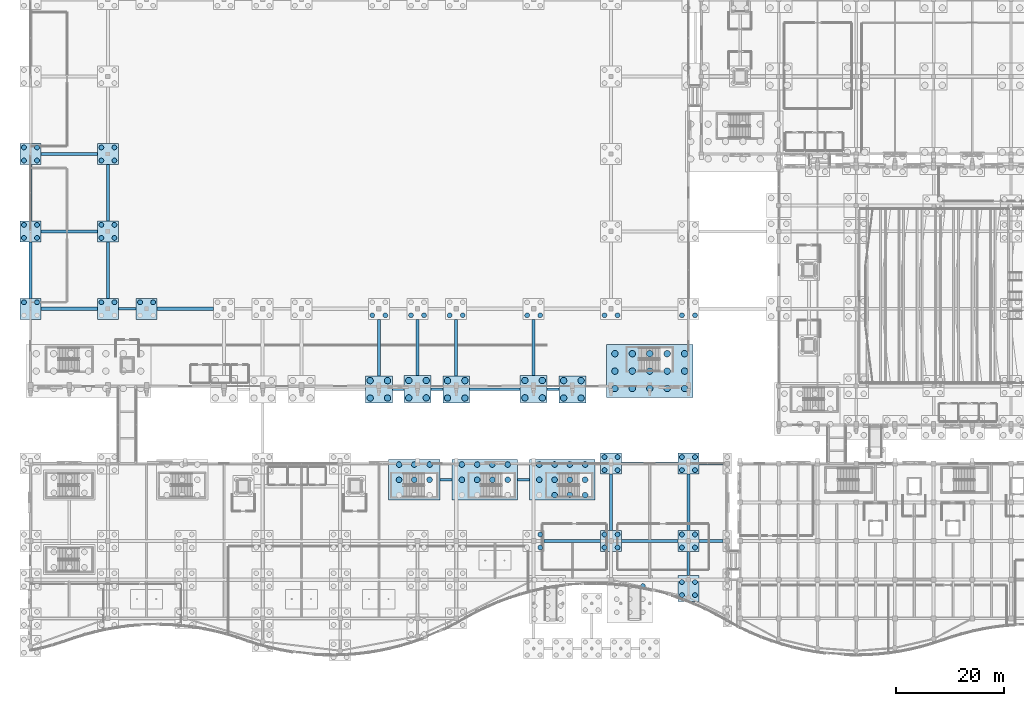
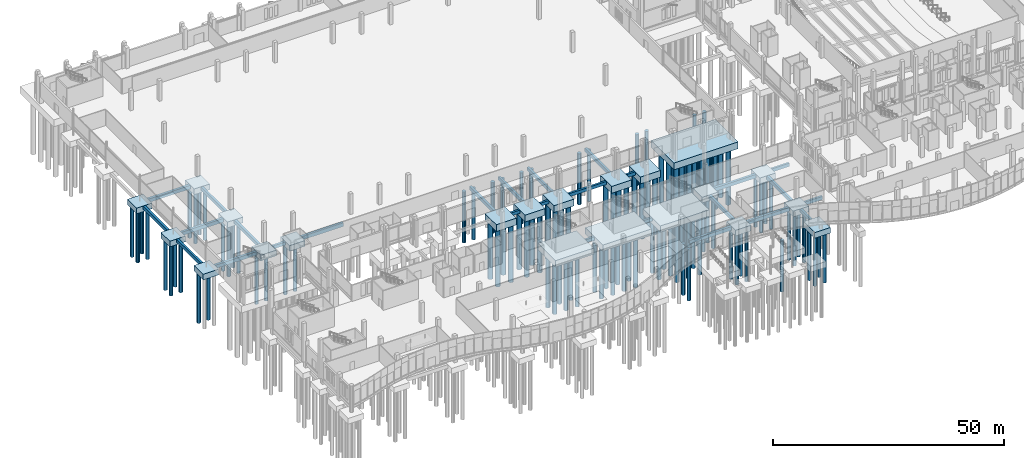
# One storey, part 3 of 192: 117 piles, 48 footings.
"""IFC4 building model written with IfcOpenShell, lengths in metres."""

from ifc_helpers import new_model, si_unit, direction, frame, origin, origin_2d, place, context, subcontext, project, spatial, rectangle, circle, extrude, material, material_profile, profile_set, type_object, element, save


model = new_model("IFC4")

# Units and contexts
model_context = context("Model", 3, precision=1e-05, world=origin(), true_north=direction((0.0, 1.0)))
body_context = subcontext(model_context, "Body", "Model", "MODEL_VIEW")
ifc_project = project(units=[si_unit("LENGTHUNIT", "METRE"), si_unit("AREAUNIT", "SQUARE_METRE"), si_unit("VOLUMEUNIT", "CUBIC_METRE"), si_unit("PLANEANGLEUNIT", "RADIAN"), si_unit("MASSUNIT", "GRAM", prefix="KILO")], contexts=[model_context])

# Site, building, storey
site_placement = place(None, origin())
site = spatial("IfcSite", under=ifc_project, at=site_placement, CompositionType="ELEMENT")
building_placement = place(site_placement, origin())
building = spatial("IfcBuilding", under=site, at=building_placement, Name="Cendralis Lancet Convention Centre", CompositionType="ELEMENT")
storey_placement = place(building_placement, origin())
storey = spatial("IfcBuildingStorey", under=building, at=storey_placement, Name="L00", CompositionType="ELEMENT", Elevation=0.0)

# Footings
ifc_material = material(Name="Concrete G35 (C35/45)", Category="concrete")
footing_type_1 = type_object("IfcFootingType", Name="STR-FT-PC04", PredefinedType="PILE_CAP", material=ifc_material)
for number, where, z_axis, x_axis, name in (
    (1, (0.0, 64.800048828125, -3.14990234375), (0.0, 0.0, 1.0), (1.0, 0.0, 0.0), "Pile Cap PC-04 #046"),
    (2, (0.0, 79.199951171875, -3.14990234375), (0.0, 0.0, 1.0), (1.0, 0.0, 0.0), "Pile Cap PC-04 #047"),
    (3, (0.0, 93.60009765625, -3.14990234375), (0.0, 0.0, 1.0), (1.0, 0.0, 0.0), "Pile Cap PC-04 #048"),
    (4, (14.39990234375, 64.800048828125, -3.14990234375), (0.0, 0.0, 1.0), (1.0, 0.0, 0.0), "Pile Cap PC-04 #059"),
    (5, (14.39990234375, 79.199951171875, -3.14990234375), (0.0, 0.0, 1.0), (1.0, 0.0, 0.0), "Pile Cap PC-04 #060"),
    (6, (14.39990234375, 93.60009765625, -3.14990234375), (0.0, 0.0, 1.0), (1.0, 0.0, 0.0), "Pile Cap PC-04 #061"),
    (7, (21.60009765625, 64.800048828125, -3.14990234375), (0.0, 0.0, 1.0), (1.0, 0.0, 0.0), "Pile Cap PC-04 #064"),
    (8, (108.0, 21.60009765625, -3.14990234375), (0.0, 0.0, 1.0), (1.0, 0.0, 0.0), "Pile Cap PC-04 #125"),
    (9, (108.0, 36.0, -3.14990234375), (0.0, 0.0, 1.0), (1.0, 0.0, 0.0), "Pile Cap PC-04 #126"),
    (10, (122.39990234375, 21.60009765625, -3.14990234375), (0.0, 0.0, 1.0), (1.0, 0.0, 0.0), "Pile Cap PC-04 #139"),
    (11, (122.39990234375, 36.0, -3.14990234375), (0.0, 0.0, 1.0), (1.0, 0.0, 0.0), "Pile Cap PC-04 #140"),
):
    element("IfcFooting", number, at=place(storey_placement, frame(where, z_axis=z_axis, x_axis=x_axis)), inside=storey, type_object=footing_type_1, Name=name, PredefinedType="PILE_CAP", context=body_context, shape_type="SweptSolid", body=[
        extrude(rectangle(XDim=3.89990234375, YDim=3.89990234375, at=origin_2d()), origin(), (0.0, 0.0, 1.0), 1.5),
    ])
footing_type_2 = type_object("IfcFootingType", Name="STR-FT-PC15", PredefinedType="PILE_CAP", material=ifc_material)
footing_1_placement = place(storey_placement, frame((71.39990234375, 32.987548828125, -3.300048828125), z_axis=(0.0, 0.0, 1.0), x_axis=(1.0, 0.0, 0.0)))
element("IfcFooting", 12, at=footing_1_placement, inside=storey, type_object=footing_type_2, Name="Pile Cap PC-15 #097", PredefinedType="PILE_CAP", context=body_context, shape_type="SweptSolid", body=[
    extrude(rectangle(XDim=9.60009765625, YDim=7.60009765625, at=origin_2d()), origin(), (0.0, 0.0, 1.0), 1.64990234375),
])
footing_type_3 = type_object("IfcFootingType", Name="STR-FT-PC16", PredefinedType="PILE_CAP", material=ifc_material)
for number, where, z_axis, x_axis, name in (
    (13, (64.800048828125, 49.820068359375, -3.4501953125), (0.0, 0.0, 1.0), (1.0, 0.0, 0.0), "Pile Cap PC-16 #093"),
    (14, (72.0, 49.844970703125, -3.4501953125), (0.0, 0.0, 1.0), (1.0, 0.0, 0.0), "Pile Cap PC-16 #101"),
    (15, (79.199951171875, 49.820068359375, -3.4501953125), (0.0, 0.0, 1.0), (1.0, 0.0, 0.0), "Pile Cap PC-16 #108"),
    (16, (93.60009765625, 49.844970703125, -3.4501953125), (0.0, 0.0, 1.0), (1.0, 0.0, 0.0), "Pile Cap PC-16 #115"),
    (17, (100.800048828125, 49.820068359375, -3.4501953125), (0.0, 0.0, 1.0), (1.0, 0.0, 0.0), "Pile Cap PC-16 #122"),
):
    element("IfcFooting", number, at=place(storey_placement, frame(where, z_axis=z_axis, x_axis=x_axis)), inside=storey, type_object=footing_type_3, Name=name, PredefinedType="PILE_CAP", context=body_context, shape_type="SweptSolid", body=[
        extrude(rectangle(XDim=5.0, YDim=5.0, at=origin_2d()), origin(), (0.0, 0.0, 1.0), 1.800048828125),
    ])
footing_type_4 = type_object("IfcFootingType", Name="STR-FT-PC19", PredefinedType="PILE_CAP", material=ifc_material)
for number, where, z_axis, x_axis, name in (
    (18, (84.512451171875, 32.987548828125, -3.300048828125), (0.0, 0.0, 1.0), (1.0, 0.0, 0.0), "Pile Cap PC-19 #112"),
    (19, (98.91259765625, 32.987548828125, -3.300048828125), (0.0, 0.0, 1.0), (1.0, 0.0, 0.0), "Pile Cap PC-19 #120"),
):
    element("IfcFooting", number, at=place(storey_placement, frame(where, z_axis=z_axis, x_axis=x_axis)), inside=storey, type_object=footing_type_4, Name=name, PredefinedType="PILE_CAP", context=body_context, shape_type="SweptSolid", body=[
        extrude(rectangle(XDim=12.199951171875, YDim=7.60009765625, at=origin_2d()), origin(), (0.0, 0.0, 1.0), 1.64990234375),
    ])
footing_type_5 = type_object("IfcFootingType", Name="STR-FT-PC23", PredefinedType="PILE_CAP", material=ifc_material)
footing_2_placement = place(storey_placement, frame((115.199951171875, 53.2099609375, -3.4501953125), z_axis=(0.0, 0.0, 1.0), x_axis=(1.0, 0.0, 0.0)))
element("IfcFooting", 20, at=footing_2_placement, inside=storey, type_object=footing_type_5, Name="Pile Cap PC-23 #135", PredefinedType="PILE_CAP", context=body_context, shape_type="SweptSolid", body=[
    extrude(rectangle(XDim=16.0, YDim=9.89990234375, at=origin_2d()), origin(), (0.0, 0.0, 1.0), 1.800048828125),
])
footing_type_6 = type_object("IfcFootingType", Name="STR-FT-PC25", PredefinedType="PILE_CAP", material=ifc_material)
footing_3_placement = place(storey_placement, frame((122.39990234375, 12.7509765625, -3.14990234375), z_axis=(0.0, 0.0, 1.0), x_axis=(1.0, 0.0, 0.0)))
element("IfcFooting", 21, at=footing_3_placement, inside=storey, type_object=footing_type_6, Name="Pile Cap PC-25 #138", PredefinedType="PILE_CAP", context=body_context, shape_type="SweptSolid", body=[
    extrude(rectangle(XDim=3.89990234375, YDim=4.800048828125, at=origin_2d()), origin(), (0.0, 0.0, 1.0), 1.5),
])
ifc_material_profile_1 = material_profile(ifc_material, rectangle(XDim=0.60009765625, YDim=0.949951171875, at=origin_2d()), Name="RCB 600x950")
ifc_profile_set_1 = profile_set([ifc_material_profile_1], Name="Concrete G35 (C35/45)")
footing_type_7 = type_object("IfcFootingType", Name="STR-GB-GB01", PredefinedType="FOOTING_BEAM", material=ifc_profile_set_1)
for number, where, z_axis, x_axis, name in (
    (22, (95.550048828125, 21.60009765625, -2.125), (1.0, 0.0, 0.0), (0.0, 1.0, 0.0), "Ground Tie Beam GB01 X-049"),
    (23, (109.949951171875, 21.60009765625, -2.125), (1.0, 0.0, 0.0), (0.0, 1.0, 0.0), "Ground Tie Beam GB01 X-050"),
    (24, (109.949951171875, 36.0, -2.125), (1.0, 0.0, 0.0), (0.0, 1.0, 0.0), "Ground Tie Beam GB01 X-057"),
    (25, (1.949951171875, 64.800048828125, -2.125), (1.0, 0.0, 0.0), (0.0, 1.0, 0.0), "Ground Tie Beam GB01 X-073"),
    (26, (23.550048828125, 64.800048828125, -2.125), (1.0, 0.0, 0.0), (0.0, 1.0, 0.0), "Ground Tie Beam GB01 X-075"),
    (27, (1.949951171875, 79.199951171875, -2.125), (1.0, 0.0, 0.0), (0.0, 1.0, 0.0), "Ground Tie Beam GB01 X-088"),
    (28, (1.949951171875, 93.60009765625, -2.125), (1.0, 0.0, 0.0), (0.0, 1.0, 0.0), "Ground Tie Beam GB01 X-099"),
):
    element("IfcFooting", number, at=place(storey_placement, frame(where, z_axis=z_axis, x_axis=x_axis)), inside=storey, type_object=footing_type_7, Name=name, PredefinedType="FOOTING_BEAM", context=body_context, shape_type="SweptSolid", body=[
        extrude(rectangle(XDim=0.60009765625, YDim=0.949951171875, at=origin_2d()), origin(), (0.0, 0.0, 1.0), 10.5),
    ])
ifc_material_profile_2 = material_profile(ifc_material, rectangle(XDim=0.550048828125, YDim=0.89990234375, at=origin_2d()), Name="RCB 550x900")
ifc_profile_set_2 = profile_set([ifc_material_profile_2], Name="Concrete G35 (C35/45)")
footing_type_8 = type_object("IfcFootingType", Name="STR-GB-GB02", PredefinedType="FOOTING_BEAM", material=ifc_profile_set_2)
for number, where, z_axis, x_axis, name in (
    (29, (0.0, 66.75, -2.10009765625), (0.0, 1.0, 0.0), (-1.0, 0.0, 0.0), "Ground Tie Beam GB02 Y-158"),
    (30, (0.0, 81.14990234375, -2.10009765625), (0.0, 1.0, 0.0), (-1.0, 0.0, 0.0), "Ground Tie Beam GB02 Y-159"),
    (31, (14.39990234375, 66.75, -2.10009765625), (0.0, 1.0, 0.0), (-1.0, 0.0, 0.0), "Ground Tie Beam GB02 Y-166"),
    (32, (14.39990234375, 81.14990234375, -2.10009765625), (0.0, 1.0, 0.0), (-1.0, 0.0, 0.0), "Ground Tie Beam GB02 Y-167"),
):
    element("IfcFooting", number, at=place(storey_placement, frame(where, z_axis=z_axis, x_axis=x_axis)), inside=storey, type_object=footing_type_8, Name=name, PredefinedType="FOOTING_BEAM", context=body_context, shape_type="SweptSolid", body=[
        extrude(rectangle(XDim=0.550048828125, YDim=0.89990234375, at=origin_2d()), origin(), (0.0, 0.0, 1.0), 10.5),
    ])
footing_4_placement = place(storey_placement, frame((64.800048828125, 52.320068359375, -2.10009765625), z_axis=(0.0, 1.0, 0.0), x_axis=(-1.0, 0.0, 0.0)))
element("IfcFooting", 33, at=footing_4_placement, inside=storey, type_object=footing_type_8, Name="Ground Tie Beam GB02 Y-184", PredefinedType="FOOTING_BEAM", context=body_context, shape_type="SweptSolid", body=[
    extrude(rectangle(XDim=0.550048828125, YDim=0.89990234375, at=origin_2d()), origin(), (0.0, 0.0, 1.0), 10.530029296875),
])
footing_5_placement = place(storey_placement, frame((72.0, 52.344970703125, -2.10009765625), z_axis=(0.0, 1.0, 0.0), x_axis=(-1.0, 0.0, 0.0)))
element("IfcFooting", 34, at=footing_5_placement, inside=storey, type_object=footing_type_8, Name="Ground Tie Beam GB02 Y-188", PredefinedType="FOOTING_BEAM", context=body_context, shape_type="SweptSolid", body=[
    extrude(rectangle(XDim=0.550048828125, YDim=0.89990234375, at=origin_2d()), origin(), (0.0, 0.0, 1.0), 10.505126953125),
])
footing_6_placement = place(storey_placement, frame((79.199951171875, 52.320068359375, -2.10009765625), z_axis=(0.0, 1.0, 0.0), x_axis=(-1.0, 0.0, 0.0)))
element("IfcFooting", 35, at=footing_6_placement, inside=storey, type_object=footing_type_8, Name="Ground Tie Beam GB02 Y-192", PredefinedType="FOOTING_BEAM", context=body_context, shape_type="SweptSolid", body=[
    extrude(rectangle(XDim=0.550048828125, YDim=0.89990234375, at=origin_2d()), origin(), (0.0, 0.0, 1.0), 10.530029296875),
])
footing_7_placement = place(storey_placement, frame((93.60009765625, 52.344970703125, -2.10009765625), z_axis=(0.0, 1.0, 0.0), x_axis=(-1.0, 0.0, 0.0)))
element("IfcFooting", 36, at=footing_7_placement, inside=storey, type_object=footing_type_8, Name="Ground Tie Beam GB02 Y-195", PredefinedType="FOOTING_BEAM", context=body_context, shape_type="SweptSolid", body=[
    extrude(rectangle(XDim=0.550048828125, YDim=0.89990234375, at=origin_2d()), origin(), (0.0, 0.0, 1.0), 10.505126953125),
])
for number, where, z_axis, x_axis, name in (
    (37, (108.0, 23.550048828125, -2.10009765625), (0.0, 1.0, 0.0), (-1.0, 0.0, 0.0), "Ground Tie Beam GB02 Y-198"),
    (38, (122.39990234375, 23.550048828125, -2.10009765625), (0.0, 1.0, 0.0), (-1.0, 0.0, 0.0), "Ground Tie Beam GB02 Y-204"),
):
    element("IfcFooting", number, at=place(storey_placement, frame(where, z_axis=z_axis, x_axis=x_axis)), inside=storey, type_object=footing_type_8, Name=name, PredefinedType="FOOTING_BEAM", context=body_context, shape_type="SweptSolid", body=[
        extrude(rectangle(XDim=0.550048828125, YDim=0.89990234375, at=origin_2d()), origin(), (0.0, 0.0, 1.0), 10.5),
    ])
ifc_material_profile_3 = material_profile(ifc_material, rectangle(XDim=0.5, YDim=0.85009765625, at=origin_2d()), Name="RCB 500x850")
ifc_profile_set_3 = profile_set([ifc_material_profile_3], Name="Concrete G35 (C35/45)")
footing_type_9 = type_object("IfcFootingType", Name="STR-GB-GB03", PredefinedType="FOOTING_BEAM", material=ifc_profile_set_3)
footing_8_placement = place(storey_placement, frame((124.35009765625, 21.60009765625, -2.074951171875), z_axis=(1.0, 0.0, 0.0), x_axis=(0.0, 1.0, 0.0)))
element("IfcFooting", 39, at=footing_8_placement, inside=storey, type_object=footing_type_9, Name="Ground Tie Beam GB03 X-051", PredefinedType="FOOTING_BEAM", context=body_context, shape_type="SweptSolid", body=[
    extrude(rectangle(XDim=0.5, YDim=0.85009765625, at=origin_2d()), origin(), (0.0, 0.0, 1.0), 4.449951171875),
])
footing_9_placement = place(storey_placement, frame((76.199951171875, 32.987548828125, -2.074951171875), z_axis=(1.0, 0.0, 0.0), x_axis=(0.0, 1.0, 0.0)))
element("IfcFooting", 40, at=footing_9_placement, inside=storey, type_object=footing_type_9, Name="Ground Tie Beam GB03 X-053", PredefinedType="FOOTING_BEAM", context=body_context, shape_type="SweptSolid", body=[
    extrude(rectangle(XDim=0.5, YDim=0.85009765625, at=origin_2d()), origin(), (0.0, 0.0, 1.0), 2.212646484375),
])
footing_10_placement = place(storey_placement, frame((90.612548828125, 32.987548828125, -2.074951171875), z_axis=(1.0, 0.0, 0.0), x_axis=(0.0, 1.0, 0.0)))
element("IfcFooting", 41, at=footing_10_placement, inside=storey, type_object=footing_type_9, Name="Ground Tie Beam GB03 X-054", PredefinedType="FOOTING_BEAM", context=body_context, shape_type="SweptSolid", body=[
    extrude(rectangle(XDim=0.5, YDim=0.85009765625, at=origin_2d()), origin(), (0.0, 0.0, 1.0), 2.199951171875),
])
footing_11_placement = place(storey_placement, frame((124.35009765625, 36.0, -2.074951171875), z_axis=(1.0, 0.0, 0.0), x_axis=(0.0, 1.0, 0.0)))
element("IfcFooting", 42, at=footing_11_placement, inside=storey, type_object=footing_type_9, Name="Ground Tie Beam GB03 X-058", PredefinedType="FOOTING_BEAM", context=body_context, shape_type="SweptSolid", body=[
    extrude(rectangle(XDim=0.5, YDim=0.85009765625, at=origin_2d()), origin(), (0.0, 0.0, 1.0), 4.449951171875),
])
for number, where, z_axis, x_axis, name in (
    (43, (67.300048828125, 49.83251953125, -2.074951171875), (1.0, 0.0, 0.0), (0.0, 1.0, 0.0), "Ground Tie Beam GB03 X-067"),
    (44, (74.5, 49.83251953125, -2.074951171875), (1.0, 0.0, 0.0), (0.0, 1.0, 0.0), "Ground Tie Beam GB03 X-068"),
):
    element("IfcFooting", number, at=place(storey_placement, frame(where, z_axis=z_axis, x_axis=x_axis)), inside=storey, type_object=footing_type_9, Name=name, PredefinedType="FOOTING_BEAM", context=body_context, shape_type="SweptSolid", body=[
        extrude(rectangle(XDim=0.5, YDim=0.85009765625, at=origin_2d()), origin(), (0.0, 0.0, 1.0), 2.199951171875),
    ])
footing_12_placement = place(storey_placement, frame((81.699951171875, 49.83251953125, -2.074951171875), z_axis=(1.0, 0.0, 0.0), x_axis=(0.0, 1.0, 0.0)))
element("IfcFooting", 45, at=footing_12_placement, inside=storey, type_object=footing_type_9, Name="Ground Tie Beam GB03 X-069", PredefinedType="FOOTING_BEAM", context=body_context, shape_type="SweptSolid", body=[
    extrude(rectangle(XDim=0.5, YDim=0.85009765625, at=origin_2d()), origin(), (0.0, 0.0, 1.0), 9.400146484375),
])
footing_13_placement = place(storey_placement, frame((96.10009765625, 49.83251953125, -2.074951171875), z_axis=(1.0, 0.0, 0.0), x_axis=(0.0, 1.0, 0.0)))
element("IfcFooting", 46, at=footing_13_placement, inside=storey, type_object=footing_type_9, Name="Ground Tie Beam GB03 X-070", PredefinedType="FOOTING_BEAM", context=body_context, shape_type="SweptSolid", body=[
    extrude(rectangle(XDim=0.5, YDim=0.85009765625, at=origin_2d()), origin(), (0.0, 0.0, 1.0), 2.199951171875),
])
footing_14_placement = place(storey_placement, frame((16.35009765625, 64.800048828125, -2.074951171875), z_axis=(1.0, 0.0, 0.0), x_axis=(0.0, 1.0, 0.0)))
element("IfcFooting", 47, at=footing_14_placement, inside=storey, type_object=footing_type_9, Name="Ground Tie Beam GB03 X-074", PredefinedType="FOOTING_BEAM", context=body_context, shape_type="SweptSolid", body=[
    extrude(rectangle(XDim=0.5, YDim=0.85009765625, at=origin_2d()), origin(), (0.0, 0.0, 1.0), 3.2998046875),
])
ifc_material_profile_4 = material_profile(ifc_material, rectangle(XDim=0.449951171875, YDim=0.75, at=origin_2d()), Name="RCB 450x750")
ifc_profile_set_4 = profile_set([ifc_material_profile_4], Name="Concrete G35 (C35/45)")
footing_type_10 = type_object("IfcFootingType", Name="STR-GB-GB04", PredefinedType="FOOTING_BEAM", material=ifc_profile_set_4)
footing_15_placement = place(storey_placement, frame((122.39990234375, 15.15087890625, -2.02490234375), z_axis=(0.0, 1.0, 0.0), x_axis=(-1.0, 0.0, 0.0)))
element("IfcFooting", 48, at=footing_15_placement, inside=storey, type_object=footing_type_10, Name="Ground Tie Beam GB04 Y-203", PredefinedType="FOOTING_BEAM", context=body_context, shape_type="SweptSolid", body=[
    extrude(rectangle(XDim=0.449951171875, YDim=0.75, at=origin_2d()), origin(), (0.0, 0.0, 1.0), 4.4990234375),
])

# Piles
ifc_material_profile_5 = material_profile(ifc_material, circle(Radius=0.52490234375, at=origin_2d()), Name="BORED PILE D1050")
ifc_profile_set_5 = profile_set([ifc_material_profile_5], Name="Concrete G35 (C35/45)")
pile_type_1 = type_object("IfcPileType", Name="STR-PL-P1050", PredefinedType="BORED", material=ifc_profile_set_5)
for number, where, z_axis, x_axis, name in (
    (49, (68.56005859375, 32.987548828125, -3.14990234375), (0.0, 0.0, -1.0), (1.0, 0.0, 0.0), "Bored Pile P-1050 FT2-PC-15-097-P2"),
    (50, (68.56005859375, 35.827392578125, -3.14990234375), (0.0, 0.0, -1.0), (1.0, 0.0, 0.0), "Bored Pile P-1050 FT2-PC-15-097-P3"),
    (51, (71.39990234375, 32.987548828125, -3.14990234375), (0.0, 0.0, -1.0), (1.0, 0.0, 0.0), "Bored Pile P-1050 FT2-PC-15-097-P5"),
    (52, (71.39990234375, 35.827392578125, -3.14990234375), (0.0, 0.0, -1.0), (1.0, 0.0, 0.0), "Bored Pile P-1050 FT2-PC-15-097-P6"),
    (53, (74.239990234375, 32.987548828125, -3.14990234375), (0.0, 0.0, -1.0), (1.0, 0.0, 0.0), "Bored Pile P-1050 FT2-PC-15-097-P8"),
    (54, (74.239990234375, 35.827392578125, -3.14990234375), (0.0, 0.0, -1.0), (1.0, 0.0, 0.0), "Bored Pile P-1050 FT2-PC-15-097-P9"),
    (55, (80.25244140625, 32.987548828125, -3.14990234375), (0.0, 0.0, -1.0), (1.0, 0.0, 0.0), "Bored Pile P-1050 FT2-PC-19-112-P2"),
    (56, (80.25244140625, 35.827392578125, -3.14990234375), (0.0, 0.0, -1.0), (1.0, 0.0, 0.0), "Bored Pile P-1050 FT2-PC-19-112-P3"),
    (57, (83.092529296875, 32.987548828125, -3.14990234375), (0.0, 0.0, -1.0), (1.0, 0.0, 0.0), "Bored Pile P-1050 FT2-PC-19-112-P5"),
    (58, (83.092529296875, 35.827392578125, -3.14990234375), (0.0, 0.0, -1.0), (1.0, 0.0, 0.0), "Bored Pile P-1050 FT2-PC-19-112-P6"),
    (59, (85.9326171875, 32.987548828125, -3.14990234375), (0.0, 0.0, -1.0), (1.0, 0.0, 0.0), "Bored Pile P-1050 FT2-PC-19-112-P8"),
    (60, (85.9326171875, 35.827392578125, -3.14990234375), (0.0, 0.0, -1.0), (1.0, 0.0, 0.0), "Bored Pile P-1050 FT2-PC-19-112-P9"),
    (61, (88.7724609375, 32.987548828125, -3.14990234375), (0.0, 0.0, -1.0), (1.0, 0.0, 0.0), "Bored Pile P-1050 FT2-PC-19-112-P11"),
    (62, (88.7724609375, 35.827392578125, -3.14990234375), (0.0, 0.0, -1.0), (1.0, 0.0, 0.0), "Bored Pile P-1050 FT2-PC-19-112-P12"),
    (63, (94.652587890625, 32.987548828125, -3.14990234375), (0.0, 0.0, -1.0), (1.0, 0.0, 0.0), "Bored Pile P-1050 FT2-PC-19-120-P2"),
    (64, (94.652587890625, 35.827392578125, -3.14990234375), (0.0, 0.0, -1.0), (1.0, 0.0, 0.0), "Bored Pile P-1050 FT2-PC-19-120-P3"),
    (65, (97.492431640625, 30.1474609375, -3.14990234375), (0.0, 0.0, -1.0), (1.0, 0.0, 0.0), "Bored Pile P-1050 FT2-PC-19-120-P4"),
    (66, (97.492431640625, 32.987548828125, -3.14990234375), (0.0, 0.0, -1.0), (1.0, 0.0, 0.0), "Bored Pile P-1050 FT2-PC-19-120-P5"),
    (67, (97.492431640625, 35.827392578125, -3.14990234375), (0.0, 0.0, -1.0), (1.0, 0.0, 0.0), "Bored Pile P-1050 FT2-PC-19-120-P6"),
    (68, (100.33251953125, 30.1474609375, -3.14990234375), (0.0, 0.0, -1.0), (1.0, 0.0, 0.0), "Bored Pile P-1050 FT2-PC-19-120-P7"),
    (69, (100.33251953125, 32.987548828125, -3.14990234375), (0.0, 0.0, -1.0), (1.0, 0.0, 0.0), "Bored Pile P-1050 FT2-PC-19-120-P8"),
    (70, (100.33251953125, 35.827392578125, -3.14990234375), (0.0, 0.0, -1.0), (1.0, 0.0, 0.0), "Bored Pile P-1050 FT2-PC-19-120-P9"),
    (71, (103.172607421875, 30.1474609375, -3.14990234375), (0.0, 0.0, -1.0), (1.0, 0.0, 0.0), "Bored Pile P-1050 FT2-PC-19-120-P10"),
    (72, (103.172607421875, 32.987548828125, -3.14990234375), (0.0, 0.0, -1.0), (1.0, 0.0, 0.0), "Bored Pile P-1050 FT2-PC-19-120-P11"),
    (73, (103.172607421875, 35.827392578125, -3.14990234375), (0.0, 0.0, -1.0), (1.0, 0.0, 0.0), "Bored Pile P-1050 FT2-PC-19-120-P12"),
):
    element("IfcPile", number, at=place(storey_placement, frame(where, z_axis=z_axis, x_axis=x_axis)), inside=storey, type_object=pile_type_1, Name=name, PredefinedType="BORED", context=body_context, shape_type="SweptSolid", body=[
        extrude(circle(Radius=0.52490234375, at=origin_2d()), origin(), (0.0, 0.0, 1.0), 15.35009765625),
    ])
ifc_material_profile_6 = material_profile(ifc_material, circle(Radius=0.60009765625, at=origin_2d()), Name="BORED PILE D1200")
ifc_profile_set_6 = profile_set([ifc_material_profile_6], Name="Concrete G35 (C35/45)")
pile_type_2 = type_object("IfcPileType", Name="STR-PL-P1200", PredefinedType="BORED", material=ifc_profile_set_6)
for number, where, z_axis, x_axis, name in (
    (74, (63.179931640625, 48.199951171875, -3.300048828125), (0.0, 0.0, -1.0), (1.0, 0.0, 0.0), "Bored Pile P-1200 FT2-PC-16-093-P1"),
    (75, (63.179931640625, 51.43994140625, -3.300048828125), (0.0, 0.0, -1.0), (1.0, 0.0, 0.0), "Bored Pile P-1200 FT2-PC-16-093-P2"),
    (76, (66.419921875, 48.199951171875, -3.300048828125), (0.0, 0.0, -1.0), (1.0, 0.0, 0.0), "Bored Pile P-1200 FT2-PC-16-093-P3"),
    (77, (66.419921875, 51.43994140625, -3.300048828125), (0.0, 0.0, -1.0), (1.0, 0.0, 0.0), "Bored Pile P-1200 FT2-PC-16-093-P4"),
    (78, (70.3798828125, 48.22509765625, -3.300048828125), (0.0, 0.0, -1.0), (1.0, 0.0, 0.0), "Bored Pile P-1200 FT2-PC-16-101-P1"),
    (79, (70.3798828125, 51.465087890625, -3.300048828125), (0.0, 0.0, -1.0), (1.0, 0.0, 0.0), "Bored Pile P-1200 FT2-PC-16-101-P2"),
    (80, (73.6201171875, 48.22509765625, -3.300048828125), (0.0, 0.0, -1.0), (1.0, 0.0, 0.0), "Bored Pile P-1200 FT2-PC-16-101-P3"),
    (81, (73.6201171875, 51.465087890625, -3.300048828125), (0.0, 0.0, -1.0), (1.0, 0.0, 0.0), "Bored Pile P-1200 FT2-PC-16-101-P4"),
    (82, (77.580078125, 48.199951171875, -3.300048828125), (0.0, 0.0, -1.0), (1.0, 0.0, 0.0), "Bored Pile P-1200 FT2-PC-16-108-P1"),
    (83, (77.580078125, 51.43994140625, -3.300048828125), (0.0, 0.0, -1.0), (1.0, 0.0, 0.0), "Bored Pile P-1200 FT2-PC-16-108-P2"),
    (84, (80.820068359375, 48.199951171875, -3.300048828125), (0.0, 0.0, -1.0), (1.0, 0.0, 0.0), "Bored Pile P-1200 FT2-PC-16-108-P3"),
    (85, (80.820068359375, 51.43994140625, -3.300048828125), (0.0, 0.0, -1.0), (1.0, 0.0, 0.0), "Bored Pile P-1200 FT2-PC-16-108-P4"),
    (86, (91.97998046875, 48.22509765625, -3.300048828125), (0.0, 0.0, -1.0), (1.0, 0.0, 0.0), "Bored Pile P-1200 FT2-PC-16-115-P1"),
    (87, (91.97998046875, 51.465087890625, -3.300048828125), (0.0, 0.0, -1.0), (1.0, 0.0, 0.0), "Bored Pile P-1200 FT2-PC-16-115-P2"),
    (88, (95.219970703125, 48.22509765625, -3.300048828125), (0.0, 0.0, -1.0), (1.0, 0.0, 0.0), "Bored Pile P-1200 FT2-PC-16-115-P3"),
    (89, (95.219970703125, 51.465087890625, -3.300048828125), (0.0, 0.0, -1.0), (1.0, 0.0, 0.0), "Bored Pile P-1200 FT2-PC-16-115-P4"),
    (90, (99.179931640625, 48.199951171875, -3.300048828125), (0.0, 0.0, -1.0), (1.0, 0.0, 0.0), "Bored Pile P-1200 FT2-PC-16-122-P1"),
    (91, (99.179931640625, 51.43994140625, -3.300048828125), (0.0, 0.0, -1.0), (1.0, 0.0, 0.0), "Bored Pile P-1200 FT2-PC-16-122-P2"),
    (92, (102.419921875, 48.199951171875, -3.300048828125), (0.0, 0.0, -1.0), (1.0, 0.0, 0.0), "Bored Pile P-1200 FT2-PC-16-122-P3"),
    (93, (102.419921875, 51.43994140625, -3.300048828125), (0.0, 0.0, -1.0), (1.0, 0.0, 0.0), "Bored Pile P-1200 FT2-PC-16-122-P4"),
    (94, (108.719970703125, 49.969970703125, -3.300048828125), (0.0, 0.0, -1.0), (1.0, 0.0, 0.0), "Bored Pile P-1200 FT2-PC-23-135-P1"),
    (95, (108.719970703125, 53.2099609375, -3.300048828125), (0.0, 0.0, -1.0), (1.0, 0.0, 0.0), "Bored Pile P-1200 FT2-PC-23-135-P2"),
    (96, (108.719970703125, 56.449951171875, -3.300048828125), (0.0, 0.0, -1.0), (1.0, 0.0, 0.0), "Bored Pile P-1200 FT2-PC-23-135-P3"),
    (97, (111.9599609375, 49.969970703125, -3.300048828125), (0.0, 0.0, -1.0), (1.0, 0.0, 0.0), "Bored Pile P-1200 FT2-PC-23-135-P4"),
    (98, (111.9599609375, 53.2099609375, -3.300048828125), (0.0, 0.0, -1.0), (1.0, 0.0, 0.0), "Bored Pile P-1200 FT2-PC-23-135-P5"),
    (99, (111.9599609375, 56.449951171875, -3.300048828125), (0.0, 0.0, -1.0), (1.0, 0.0, 0.0), "Bored Pile P-1200 FT2-PC-23-135-P6"),
    (100, (115.199951171875, 49.969970703125, -3.300048828125), (0.0, 0.0, -1.0), (1.0, 0.0, 0.0), "Bored Pile P-1200 FT2-PC-23-135-P7"),
    (101, (115.199951171875, 53.2099609375, -3.300048828125), (0.0, 0.0, -1.0), (1.0, 0.0, 0.0), "Bored Pile P-1200 FT2-PC-23-135-P8"),
    (102, (115.199951171875, 56.449951171875, -3.300048828125), (0.0, 0.0, -1.0), (1.0, 0.0, 0.0), "Bored Pile P-1200 FT2-PC-23-135-P9"),
    (103, (118.43994140625, 49.969970703125, -3.300048828125), (0.0, 0.0, -1.0), (1.0, 0.0, 0.0), "Bored Pile P-1200 FT2-PC-23-135-P10"),
    (104, (118.43994140625, 53.2099609375, -3.300048828125), (0.0, 0.0, -1.0), (1.0, 0.0, 0.0), "Bored Pile P-1200 FT2-PC-23-135-P11"),
    (105, (118.43994140625, 56.449951171875, -3.300048828125), (0.0, 0.0, -1.0), (1.0, 0.0, 0.0), "Bored Pile P-1200 FT2-PC-23-135-P12"),
    (106, (121.679931640625, 49.969970703125, -3.300048828125), (0.0, 0.0, -1.0), (1.0, 0.0, 0.0), "Bored Pile P-1200 FT2-PC-23-135-P13"),
    (107, (121.679931640625, 53.2099609375, -3.300048828125), (0.0, 0.0, -1.0), (1.0, 0.0, 0.0), "Bored Pile P-1200 FT2-PC-23-135-P14"),
    (108, (121.679931640625, 56.449951171875, -3.300048828125), (0.0, 0.0, -1.0), (1.0, 0.0, 0.0), "Bored Pile P-1200 FT2-PC-23-135-P15"),
):
    element("IfcPile", number, at=place(storey_placement, frame(where, z_axis=z_axis, x_axis=x_axis)), inside=storey, type_object=pile_type_2, Name=name, PredefinedType="BORED", context=body_context, shape_type="SweptSolid", body=[
        extrude(circle(Radius=0.60009765625, at=origin_2d()), origin(), (0.0, 0.0, 1.0), 15.199951171875),
    ])
ifc_material_profile_7 = material_profile(ifc_material, circle(Radius=0.449951171875, at=origin_2d()), Name="BORED PILE D900")
ifc_profile_set_7 = profile_set([ifc_material_profile_7], Name="Concrete G35 (C35/45)")
pile_type_3 = type_object("IfcPileType", Name="STR-PL-P900", PredefinedType="BORED", material=ifc_profile_set_7)
for number, where, z_axis, x_axis, name in (
    (109, (-1.215087890625, 66.014892578125, -3.0), (0.0, 0.0, -1.0), (1.0, 0.0, 0.0), "Bored Pile P-900 FT2-PC-04-046-P2"),
    (110, (1.215087890625, 66.014892578125, -3.0), (0.0, 0.0, -1.0), (1.0, 0.0, 0.0), "Bored Pile P-900 FT2-PC-04-046-P4"),
    (111, (-1.215087890625, 77.985107421875, -3.0), (0.0, 0.0, -1.0), (1.0, 0.0, 0.0), "Bored Pile P-900 FT2-PC-04-047-P1"),
    (112, (-1.215087890625, 80.4150390625, -3.0), (0.0, 0.0, -1.0), (1.0, 0.0, 0.0), "Bored Pile P-900 FT2-PC-04-047-P2"),
    (113, (1.215087890625, 77.985107421875, -3.0), (0.0, 0.0, -1.0), (1.0, 0.0, 0.0), "Bored Pile P-900 FT2-PC-04-047-P3"),
    (114, (1.215087890625, 80.4150390625, -3.0), (0.0, 0.0, -1.0), (1.0, 0.0, 0.0), "Bored Pile P-900 FT2-PC-04-047-P4"),
    (115, (-1.215087890625, 92.385009765625, -3.0), (0.0, 0.0, -1.0), (1.0, 0.0, 0.0), "Bored Pile P-900 FT2-PC-04-048-P1"),
    (116, (-1.215087890625, 94.81494140625, -3.0), (0.0, 0.0, -1.0), (1.0, 0.0, 0.0), "Bored Pile P-900 FT2-PC-04-048-P2"),
    (117, (1.215087890625, 92.385009765625, -3.0), (0.0, 0.0, -1.0), (1.0, 0.0, 0.0), "Bored Pile P-900 FT2-PC-04-048-P3"),
    (118, (1.215087890625, 94.81494140625, -3.0), (0.0, 0.0, -1.0), (1.0, 0.0, 0.0), "Bored Pile P-900 FT2-PC-04-048-P4"),
    (119, (13.18505859375, 66.014892578125, -3.0), (0.0, 0.0, -1.0), (1.0, 0.0, 0.0), "Bored Pile P-900 FT2-PC-04-059-P2"),
    (120, (15.614990234375, 66.014892578125, -3.0), (0.0, 0.0, -1.0), (1.0, 0.0, 0.0), "Bored Pile P-900 FT2-PC-04-059-P4"),
    (121, (13.18505859375, 77.985107421875, -3.0), (0.0, 0.0, -1.0), (1.0, 0.0, 0.0), "Bored Pile P-900 FT2-PC-04-060-P1"),
    (122, (13.18505859375, 80.4150390625, -3.0), (0.0, 0.0, -1.0), (1.0, 0.0, 0.0), "Bored Pile P-900 FT2-PC-04-060-P2"),
    (123, (15.614990234375, 77.985107421875, -3.0), (0.0, 0.0, -1.0), (1.0, 0.0, 0.0), "Bored Pile P-900 FT2-PC-04-060-P3"),
    (124, (15.614990234375, 80.4150390625, -3.0), (0.0, 0.0, -1.0), (1.0, 0.0, 0.0), "Bored Pile P-900 FT2-PC-04-060-P4"),
    (125, (13.18505859375, 92.385009765625, -3.0), (0.0, 0.0, -1.0), (1.0, 0.0, 0.0), "Bored Pile P-900 FT2-PC-04-061-P1"),
    (126, (13.18505859375, 94.81494140625, -3.0), (0.0, 0.0, -1.0), (1.0, 0.0, 0.0), "Bored Pile P-900 FT2-PC-04-061-P2"),
    (127, (15.614990234375, 92.385009765625, -3.0), (0.0, 0.0, -1.0), (1.0, 0.0, 0.0), "Bored Pile P-900 FT2-PC-04-061-P3"),
    (128, (15.614990234375, 94.81494140625, -3.0), (0.0, 0.0, -1.0), (1.0, 0.0, 0.0), "Bored Pile P-900 FT2-PC-04-061-P4"),
    (129, (20.385009765625, 66.014892578125, -3.0), (0.0, 0.0, -1.0), (1.0, 0.0, 0.0), "Bored Pile P-900 FT2-PC-04-064-P2"),
    (130, (22.81494140625, 66.014892578125, -3.0), (0.0, 0.0, -1.0), (1.0, 0.0, 0.0), "Bored Pile P-900 FT2-PC-04-064-P4"),
    (131, (63.5849609375, 63.5849609375, -3.0), (0.0, 0.0, -1.0), (1.0, 0.0, 0.0), "Bored Pile P-900 FT2-PC-04-094-P1"),
    (132, (66.014892578125, 63.5849609375, -3.0), (0.0, 0.0, -1.0), (1.0, 0.0, 0.0), "Bored Pile P-900 FT2-PC-04-094-P3"),
    (133, (70.784912109375, 63.5849609375, -3.0), (0.0, 0.0, -1.0), (1.0, 0.0, 0.0), "Bored Pile P-900 FT2-PC-04-102-P1"),
    (134, (73.215087890625, 63.5849609375, -3.0), (0.0, 0.0, -1.0), (1.0, 0.0, 0.0), "Bored Pile P-900 FT2-PC-04-102-P3"),
    (135, (77.985107421875, 63.5849609375, -3.0), (0.0, 0.0, -1.0), (1.0, 0.0, 0.0), "Bored Pile P-900 FT2-PC-04-109-P1"),
    (136, (80.4150390625, 63.5849609375, -3.0), (0.0, 0.0, -1.0), (1.0, 0.0, 0.0), "Bored Pile P-900 FT2-PC-04-109-P3"),
    (137, (94.81494140625, 20.385009765625, -3.0), (0.0, 0.0, -1.0), (1.0, 0.0, 0.0), "Bored Pile P-900 FT2-PC-04-114-P3"),
    (138, (94.81494140625, 22.81494140625, -3.0), (0.0, 0.0, -1.0), (1.0, 0.0, 0.0), "Bored Pile P-900 FT2-PC-04-114-P4"),
    (139, (92.385009765625, 63.5849609375, -3.0), (0.0, 0.0, -1.0), (1.0, 0.0, 0.0), "Bored Pile P-900 FT2-PC-04-116-P1"),
    (140, (94.81494140625, 63.5849609375, -3.0), (0.0, 0.0, -1.0), (1.0, 0.0, 0.0), "Bored Pile P-900 FT2-PC-04-116-P3"),
    (141, (106.784912109375, 20.385009765625, -3.0), (0.0, 0.0, -1.0), (1.0, 0.0, 0.0), "Bored Pile P-900 FT2-PC-04-125-P1"),
    (142, (106.784912109375, 22.81494140625, -3.0), (0.0, 0.0, -1.0), (1.0, 0.0, 0.0), "Bored Pile P-900 FT2-PC-04-125-P2"),
    (143, (109.215087890625, 20.385009765625, -3.0), (0.0, 0.0, -1.0), (1.0, 0.0, 0.0), "Bored Pile P-900 FT2-PC-04-125-P3"),
    (144, (109.215087890625, 22.81494140625, -3.0), (0.0, 0.0, -1.0), (1.0, 0.0, 0.0), "Bored Pile P-900 FT2-PC-04-125-P4"),
    (145, (106.784912109375, 34.784912109375, -3.0), (0.0, 0.0, -1.0), (1.0, 0.0, 0.0), "Bored Pile P-900 FT2-PC-04-126-P1"),
    (146, (106.784912109375, 37.215087890625, -3.0), (0.0, 0.0, -1.0), (1.0, 0.0, 0.0), "Bored Pile P-900 FT2-PC-04-126-P2"),
    (147, (109.215087890625, 34.784912109375, -3.0), (0.0, 0.0, -1.0), (1.0, 0.0, 0.0), "Bored Pile P-900 FT2-PC-04-126-P3"),
    (148, (109.215087890625, 37.215087890625, -3.0), (0.0, 0.0, -1.0), (1.0, 0.0, 0.0), "Bored Pile P-900 FT2-PC-04-126-P4"),
    (149, (106.784912109375, 63.5849609375, -3.0), (0.0, 0.0, -1.0), (1.0, 0.0, 0.0), "Bored Pile P-900 FT2-PC-04-127-P1"),
    (150, (109.215087890625, 63.5849609375, -3.0), (0.0, 0.0, -1.0), (1.0, 0.0, 0.0), "Bored Pile P-900 FT2-PC-04-127-P3"),
    (151, (113.919189453125, 13.217529296875, -3.0), (0.0, 0.0, -1.0), (1.0, 0.0, 0.0), "Bored Pile P-900 FT2-PC-22-133-P9"),
    (152, (121.18505859375, 11.535888671875, -3.0), (0.0, 0.0, -1.0), (1.0, 0.0, 0.0), "Bored Pile P-900 FT2-PC-25-138-P1"),
    (153, (121.18505859375, 13.9658203125, -3.0), (0.0, 0.0, -1.0), (1.0, 0.0, 0.0), "Bored Pile P-900 FT2-PC-25-138-P2"),
    (154, (123.614990234375, 11.535888671875, -3.0), (0.0, 0.0, -1.0), (1.0, 0.0, 0.0), "Bored Pile P-900 FT2-PC-25-138-P3"),
    (155, (123.614990234375, 13.9658203125, -3.0), (0.0, 0.0, -1.0), (1.0, 0.0, 0.0), "Bored Pile P-900 FT2-PC-25-138-P4"),
    (156, (121.18505859375, 20.385009765625, -3.0), (0.0, 0.0, -1.0), (1.0, 0.0, 0.0), "Bored Pile P-900 FT2-PC-04-139-P1"),
    (157, (121.18505859375, 22.81494140625, -3.0), (0.0, 0.0, -1.0), (1.0, 0.0, 0.0), "Bored Pile P-900 FT2-PC-04-139-P2"),
    (158, (123.614990234375, 20.385009765625, -3.0), (0.0, 0.0, -1.0), (1.0, 0.0, 0.0), "Bored Pile P-900 FT2-PC-04-139-P3"),
    (159, (123.614990234375, 22.81494140625, -3.0), (0.0, 0.0, -1.0), (1.0, 0.0, 0.0), "Bored Pile P-900 FT2-PC-04-139-P4"),
    (160, (121.18505859375, 34.784912109375, -3.0), (0.0, 0.0, -1.0), (1.0, 0.0, 0.0), "Bored Pile P-900 FT2-PC-04-140-P1"),
    (161, (121.18505859375, 37.215087890625, -3.0), (0.0, 0.0, -1.0), (1.0, 0.0, 0.0), "Bored Pile P-900 FT2-PC-04-140-P2"),
    (162, (123.614990234375, 34.784912109375, -3.0), (0.0, 0.0, -1.0), (1.0, 0.0, 0.0), "Bored Pile P-900 FT2-PC-04-140-P3"),
    (163, (123.614990234375, 37.215087890625, -3.0), (0.0, 0.0, -1.0), (1.0, 0.0, 0.0), "Bored Pile P-900 FT2-PC-04-140-P4"),
    (164, (121.18505859375, 63.5849609375, -3.0), (0.0, 0.0, -1.0), (1.0, 0.0, 0.0), "Bored Pile P-900 FT2-PC-04-141-P1"),
    (165, (123.614990234375, 63.5849609375, -3.0), (0.0, 0.0, -1.0), (1.0, 0.0, 0.0), "Bored Pile P-900 FT2-PC-04-141-P3"),
):
    element("IfcPile", number, at=place(storey_placement, frame(where, z_axis=z_axis, x_axis=x_axis)), inside=storey, type_object=pile_type_3, Name=name, PredefinedType="BORED", context=body_context, shape_type="SweptSolid", body=[
        extrude(circle(Radius=0.449951171875, at=origin_2d()), origin(), (0.0, 0.0, 1.0), 13.5),
    ])

save(model, "model.ifc")
